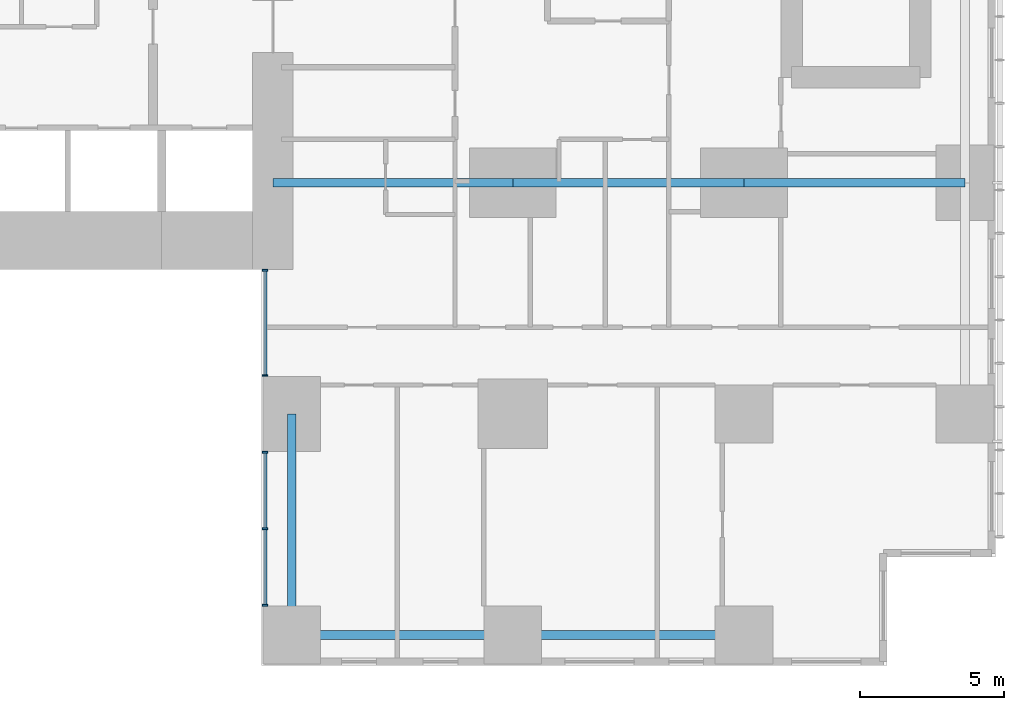
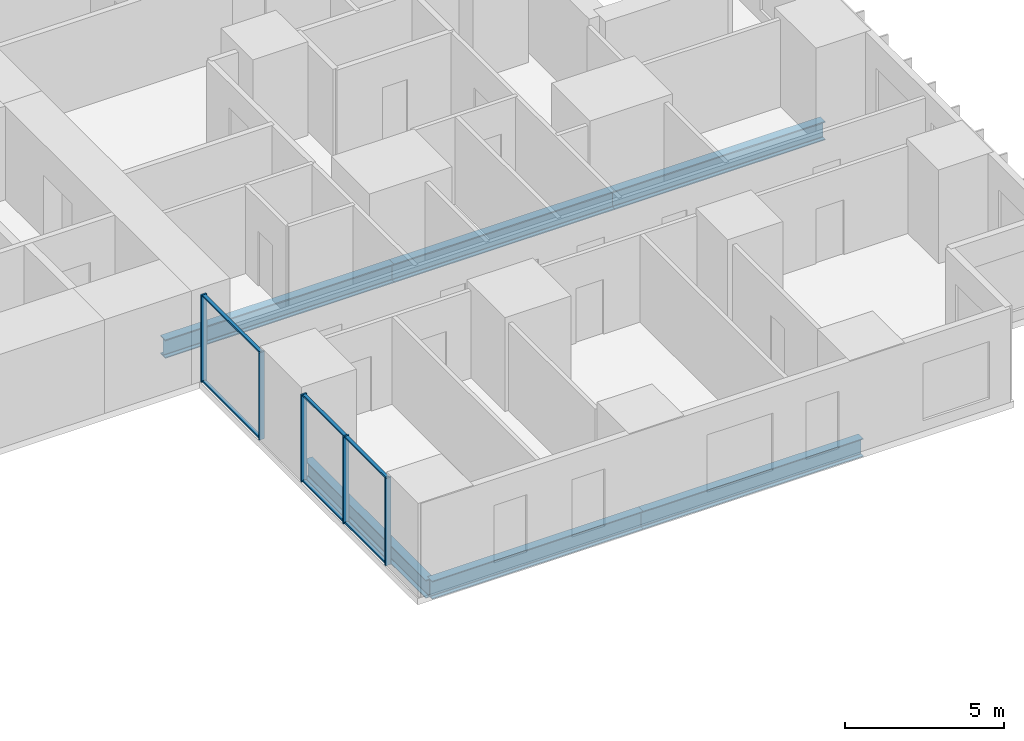
# One storey, part 3 of 21: 11 members, 6 beams, 2 elements without a shape of their own.
"""IFC4 building model written with IfcOpenShell, lengths in metres."""

from ifc_helpers import new_model, si_unit, direction, frame, origin, origin_2d, place, context, subcontext, project, spatial, rectangle, i_section, extrude, material, layer, layer_set, material_profile, profile_set, type_object, element, aggregate, save


model = new_model("IFC4")

# Units and contexts
model_context = context("Model", 3, precision=1e-05, world=origin(), true_north=direction((0.0, 1.0)))
body_context = subcontext(model_context, "Body", "Model", "MODEL_VIEW")
ifc_project = project(units=[si_unit("LENGTHUNIT", "METRE"), si_unit("AREAUNIT", "SQUARE_METRE"), si_unit("VOLUMEUNIT", "CUBIC_METRE"), si_unit("PLANEANGLEUNIT", "RADIAN"), si_unit("MASSUNIT", "GRAM", prefix="KILO")], contexts=[model_context])

# Site, building, storey
site_placement = place(None, origin())
site = spatial("IfcSite", under=ifc_project, at=site_placement, CompositionType="ELEMENT")
building_placement = place(site_placement, origin())
building = spatial("IfcBuilding", under=site, at=building_placement, Name="Cleftline Residences", CompositionType="ELEMENT")
storey_placement = place(building_placement, frame((0.0, 0.0, 161.0)))
storey = spatial("IfcBuildingStorey", under=building, at=storey_placement, Name="L42", CompositionType="ELEMENT", Elevation=161.0)

# Beams
ifc_material_1 = material(Name="Steel S355", Category="steel")
ifc_material_profile_1 = material_profile(ifc_material_1, i_section(OverallWidth=0.300048828125, OverallDepth=0.699951171875, WebThickness=0.01708984375, FlangeThickness=0.031982421875, FilletRadius=0.027099609375, at=origin_2d()))
ifc_profile_set_1 = profile_set([ifc_material_profile_1], Name="Steel S355")
beam_type_1 = type_object("IfcBeamType", Name="BEAM HEB 700", PredefinedType="BEAM", material=ifc_profile_set_1)
beam_1_placement = place(storey_placement, frame((58.0, 0.35009765625, -0.60009765625), z_axis=(-1.0, 0.0, 0.0), x_axis=(0.0, -1.0, 0.0)))
element("IfcBeam", 1, at=beam_1_placement, inside=storey, type_object=beam_type_1, Name="Edge beam", PredefinedType="BEAM", context=body_context, shape_type="SweptSolid", body=[
    extrude(i_section(OverallWidth=0.300048828125, OverallDepth=0.699951171875, WebThickness=0.01708984375, FlangeThickness=0.031982421875, FilletRadius=0.027099609375, at=origin_2d()), origin(), (0.0, 0.0, 1.0), 8.0),
])
for number, where, z_axis, x_axis, name in (
    (2, (50.0, 0.35009765625, -0.60009765625), (-1.0, 0.0, 0.0), (0.0, -1.0, 0.0), "Edge beam"),
    (3, (42.35009765625, 0.35009765625, -0.60009765625), (0.0, 1.0, 0.0), (-1.0, 0.0, 0.0), "Edge beam"),
):
    element("IfcBeam", number, at=place(storey_placement, frame(where, z_axis=z_axis, x_axis=x_axis)), inside=storey, type_object=beam_type_1, Name=name, PredefinedType="BEAM", context=body_context, shape_type="SweptSolid", body=[
        extrude(i_section(OverallWidth=0.300048828125, OverallDepth=0.699951171875, WebThickness=0.01708984375, FlangeThickness=0.031982421875, FilletRadius=0.027099609375, at=origin_2d()), origin(), (0.0, 0.0, 1.0), 7.64990234375),
    ])
ifc_material_2 = material(Name="Steel S355", Category="steel")
ifc_material_profile_2 = material_profile(ifc_material_2, i_section(OverallWidth=0.303955078125, OverallDepth=0.716064453125, WebThickness=0.02099609375, FlangeThickness=0.0400390625, FilletRadius=0.027099609375, at=origin_2d()))
ifc_profile_set_2 = profile_set([ifc_material_profile_2], Name="Steel S355")
beam_type_2 = type_object("IfcBeamType", Name="BEAM HEM 700", PredefinedType="BEAM", material=ifc_profile_set_2)
beam_2_placement = place(storey_placement, frame((65.64990234375, 16.0, -0.60791015625), z_axis=(-1.0, 0.0, 0.0), x_axis=(0.0, -1.0, 0.0)))
element("IfcBeam", 4, at=beam_2_placement, inside=storey, type_object=beam_type_2, Name="Band beam", PredefinedType="BEAM", context=body_context, shape_type="SweptSolid", body=[
    extrude(i_section(OverallWidth=0.303955078125, OverallDepth=0.716064453125, WebThickness=0.02099609375, FlangeThickness=0.0400390625, FilletRadius=0.027099609375, at=origin_2d()), origin(), (0.0, 0.0, 1.0), 7.64990234375),
])
beam_3_placement = place(storey_placement, frame((58.0, 16.0, -0.60791015625), z_axis=(-1.0, 0.0, 0.0), x_axis=(0.0, -1.0, 0.0)))
element("IfcBeam", 5, at=beam_3_placement, inside=storey, type_object=beam_type_2, Name="Band beam", PredefinedType="BEAM", context=body_context, shape_type="SweptSolid", body=[
    extrude(i_section(OverallWidth=0.303955078125, OverallDepth=0.716064453125, WebThickness=0.02099609375, FlangeThickness=0.0400390625, FilletRadius=0.027099609375, at=origin_2d()), origin(), (0.0, 0.0, 1.0), 8.0),
])
beam_4_placement = place(storey_placement, frame((50.0, 16.0, -0.60791015625), z_axis=(-1.0, 0.0, 0.0), x_axis=(0.0, -1.0, 0.0)))
element("IfcBeam", 6, at=beam_4_placement, inside=storey, type_object=beam_type_2, Name="Band beam", PredefinedType="BEAM", context=body_context, shape_type="SweptSolid", body=[
    extrude(i_section(OverallWidth=0.303955078125, OverallDepth=0.716064453125, WebThickness=0.02099609375, FlangeThickness=0.0400390625, FilletRadius=0.027099609375, at=origin_2d()), origin(), (0.0, 0.0, 1.0), 8.300048828125),
])

# Curtain wall, members
ifc_material_3 = material(Name="Aluminium framed curtain wall", Category="aluminium")
ifc_layer = layer(ifc_material_3, 0.199951171875)
ifc_layer_set = layer_set([ifc_layer], Name="CW1 CLEFT GLAZING")
curtain_wall_type = type_object("IfcCurtainWallType", Name="CW1 CLEFT GLAZING", PredefinedType="NOTDEFINED", material=ifc_layer_set)
curtain_wall_1_placement = place(storey_placement, origin())
curtain_wall_1 = element("IfcCurtainWall", 7, at=curtain_wall_1_placement, inside=storey, type_object=curtain_wall_type, Name="Curtain wall CW1", PredefinedType="NOTDEFINED")
ifc_material_4 = material(Name="Aluminium mullion", Category="aluminium")
ifc_material_profile_3 = material_profile(ifc_material_4, rectangle(XDim=0.199951171875, YDim=0.06005859375, at=origin_2d()))
ifc_profile_set_3 = profile_set([ifc_material_profile_3], Name="Aluminium mullion")
member_type_1 = type_object("IfcMemberType", Name="CW1 MULLION", PredefinedType="MULLION", material=ifc_profile_set_3)
member_1_placement = place(storey_placement, frame((41.425048828125, 12.969970703125, 0.0), z_axis=(0.0, 0.0, 1.0), x_axis=(1.0, 0.0, 0.0)))
member_1 = element("IfcMember", 8, at=member_1_placement, type_object=member_type_1, Name="CW1 mullion 1", PredefinedType="MULLION", context=body_context, shape_type="SweptSolid", body=[
    extrude(rectangle(XDim=0.199951171875, YDim=0.06005859375, at=origin_2d()), origin(), (0.0, 0.0, 1.0), 3.35009765625),
])
member_2_placement = place(storey_placement, frame((41.425048828125, 9.330078125, 0.0), z_axis=(0.0, 0.0, 1.0), x_axis=(1.0, 0.0, 0.0)))
member_2 = element("IfcMember", 9, at=member_2_placement, type_object=member_type_1, Name="CW1 mullion 2", PredefinedType="MULLION", context=body_context, shape_type="SweptSolid", body=[
    extrude(rectangle(XDim=0.199951171875, YDim=0.06005859375, at=origin_2d()), origin(), (0.0, 0.0, 1.0), 3.35009765625),
])

curtain_wall_2_placement = place(storey_placement, origin())
curtain_wall_2 = element("IfcCurtainWall", 10, at=curtain_wall_2_placement, inside=storey, type_object=curtain_wall_type, Name="Curtain wall CW1", PredefinedType="NOTDEFINED")
member_3_placement = place(storey_placement, frame((41.425048828125, 6.669921875, 0.0), z_axis=(0.0, 0.0, 1.0), x_axis=(1.0, 0.0, 0.0)))
member_3 = element("IfcMember", 11, at=member_3_placement, type_object=member_type_1, Name="CW1 mullion 1", PredefinedType="MULLION", context=body_context, shape_type="SweptSolid", body=[
    extrude(rectangle(XDim=0.199951171875, YDim=0.06005859375, at=origin_2d()), origin(), (0.0, 0.0, 1.0), 3.35009765625),
])
member_4_placement = place(storey_placement, frame((41.425048828125, 4.02490234375, 0.0), z_axis=(0.0, 0.0, 1.0), x_axis=(1.0, 0.0, 0.0)))
member_4 = element("IfcMember", 12, at=member_4_placement, type_object=member_type_1, Name="CW1 mullion 2", PredefinedType="MULLION", context=body_context, shape_type="SweptSolid", body=[
    extrude(rectangle(XDim=0.199951171875, YDim=0.06005859375, at=origin_2d()), origin(), (0.0, 0.0, 1.0), 3.35009765625),
])
member_5_placement = place(storey_placement, frame((41.425048828125, 1.3798828125, 0.0), z_axis=(0.0, 0.0, 1.0), x_axis=(1.0, 0.0, 0.0)))
member_5 = element("IfcMember", 13, at=member_5_placement, type_object=member_type_1, Name="CW1 mullion 3", PredefinedType="MULLION", context=body_context, shape_type="SweptSolid", body=[
    extrude(rectangle(XDim=0.199951171875, YDim=0.06005859375, at=origin_2d()), origin(), (0.0, 0.0, 1.0), 3.35009765625),
])

# Member
ifc_material_5 = material(Name="Aluminium transom", Category="aluminium")
ifc_material_profile_4 = material_profile(ifc_material_5, rectangle(XDim=0.1201171875, YDim=0.06005859375, at=origin_2d()))
ifc_profile_set_4 = profile_set([ifc_material_profile_4], Name="Aluminium transom")
member_type_2 = type_object("IfcMemberType", Name="CW1 TRANSOM", PredefinedType="USERDEFINED", material=ifc_profile_set_4)
member_6_placement = place(storey_placement, frame((41.425048828125, 12.93994140625, 0.030029296875), z_axis=(0.0, -1.0, 0.0), x_axis=(1.0, 0.0, 0.0)))
member_6 = element("IfcMember", 14, at=member_6_placement, type_object=member_type_2, Name="CW1 transom 1.1", ObjectType="TRANSOM", PredefinedType="USERDEFINED", context=body_context, shape_type="SweptSolid", body=[
    extrude(rectangle(XDim=0.1201171875, YDim=0.06005859375, at=origin_2d()), origin(), (0.0, 0.0, 1.0), 3.579833984375),
])

member_7_placement = place(storey_placement, frame((41.425048828125, 12.93994140625, 3.320068359375), z_axis=(0.0, -1.0, 0.0), x_axis=(1.0, 0.0, 0.0)))
member_7 = element("IfcMember", 15, at=member_7_placement, type_object=member_type_2, Name="CW1 transom 1.2", ObjectType="TRANSOM", PredefinedType="USERDEFINED", context=body_context, shape_type="SweptSolid", body=[
    extrude(rectangle(XDim=0.1201171875, YDim=0.06005859375, at=origin_2d()), origin(), (0.0, 0.0, 1.0), 3.579833984375),
])

aggregate(curtain_wall_1, [member_1, member_2, member_6, member_7])

member_8_placement = place(storey_placement, frame((41.425048828125, 6.639892578125, 0.030029296875), z_axis=(0.0, -1.0, 0.0), x_axis=(1.0, 0.0, 0.0)))
member_8 = element("IfcMember", 16, at=member_8_placement, type_object=member_type_2, Name="CW1 transom 1.1", ObjectType="TRANSOM", PredefinedType="USERDEFINED", context=body_context, shape_type="SweptSolid", body=[
    extrude(rectangle(XDim=0.1201171875, YDim=0.06005859375, at=origin_2d()), origin(), (0.0, 0.0, 1.0), 2.5849609375),
])

member_9_placement = place(storey_placement, frame((41.425048828125, 6.639892578125, 3.320068359375), z_axis=(0.0, -1.0, 0.0), x_axis=(1.0, 0.0, 0.0)))
member_9 = element("IfcMember", 17, at=member_9_placement, type_object=member_type_2, Name="CW1 transom 1.2", ObjectType="TRANSOM", PredefinedType="USERDEFINED", context=body_context, shape_type="SweptSolid", body=[
    extrude(rectangle(XDim=0.1201171875, YDim=0.06005859375, at=origin_2d()), origin(), (0.0, 0.0, 1.0), 2.5849609375),
])

member_10_placement = place(storey_placement, frame((41.425048828125, 3.9951171875, 0.030029296875), z_axis=(0.0, -1.0, 0.0), x_axis=(1.0, 0.0, 0.0)))
member_10 = element("IfcMember", 18, at=member_10_placement, type_object=member_type_2, Name="CW1 transom 2.1", ObjectType="TRANSOM", PredefinedType="USERDEFINED", context=body_context, shape_type="SweptSolid", body=[
    extrude(rectangle(XDim=0.1201171875, YDim=0.06005859375, at=origin_2d()), origin(), (0.0, 0.0, 1.0), 2.585205078125),
])

member_11_placement = place(storey_placement, frame((41.425048828125, 3.9951171875, 3.320068359375), z_axis=(0.0, -1.0, 0.0), x_axis=(1.0, 0.0, 0.0)))
member_11 = element("IfcMember", 19, at=member_11_placement, type_object=member_type_2, Name="CW1 transom 2.2", ObjectType="TRANSOM", PredefinedType="USERDEFINED", context=body_context, shape_type="SweptSolid", body=[
    extrude(rectangle(XDim=0.1201171875, YDim=0.06005859375, at=origin_2d()), origin(), (0.0, 0.0, 1.0), 2.585205078125),
])

aggregate(curtain_wall_2, [member_3, member_4, member_5, member_8, member_9, member_10, member_11])

save(model, "model.ifc")
